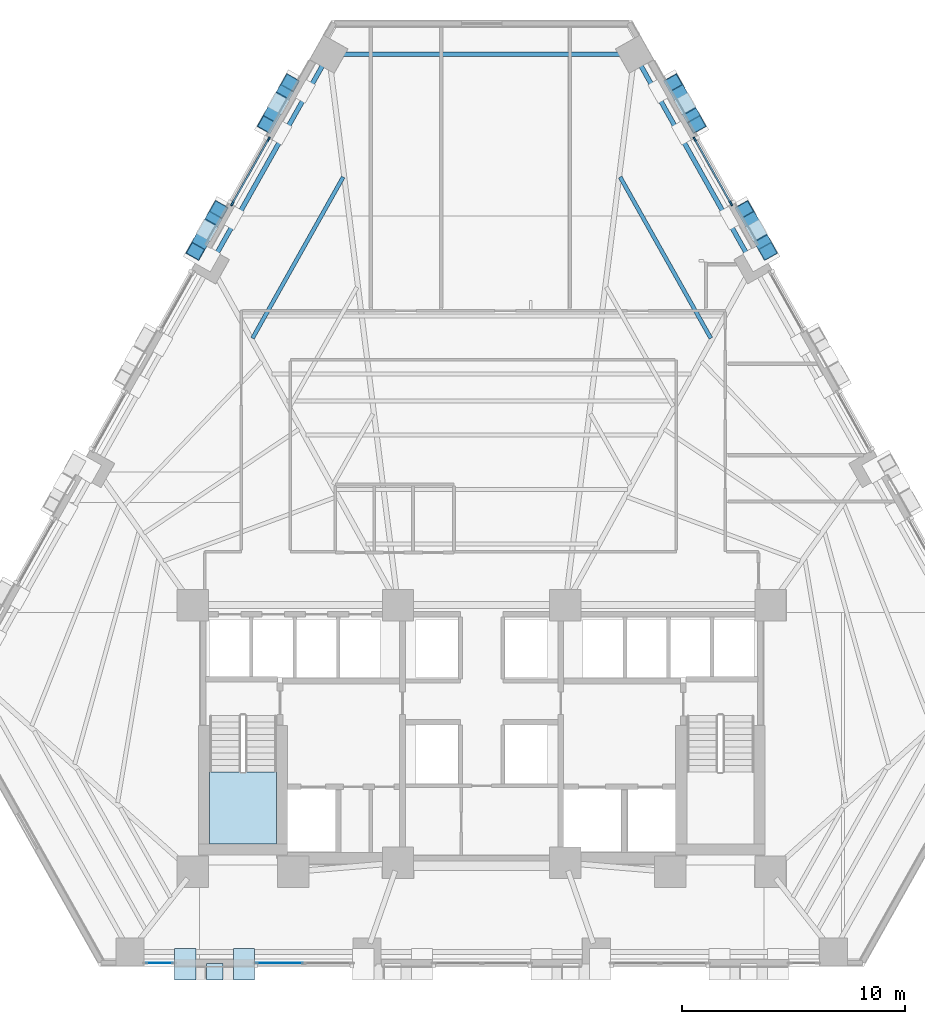
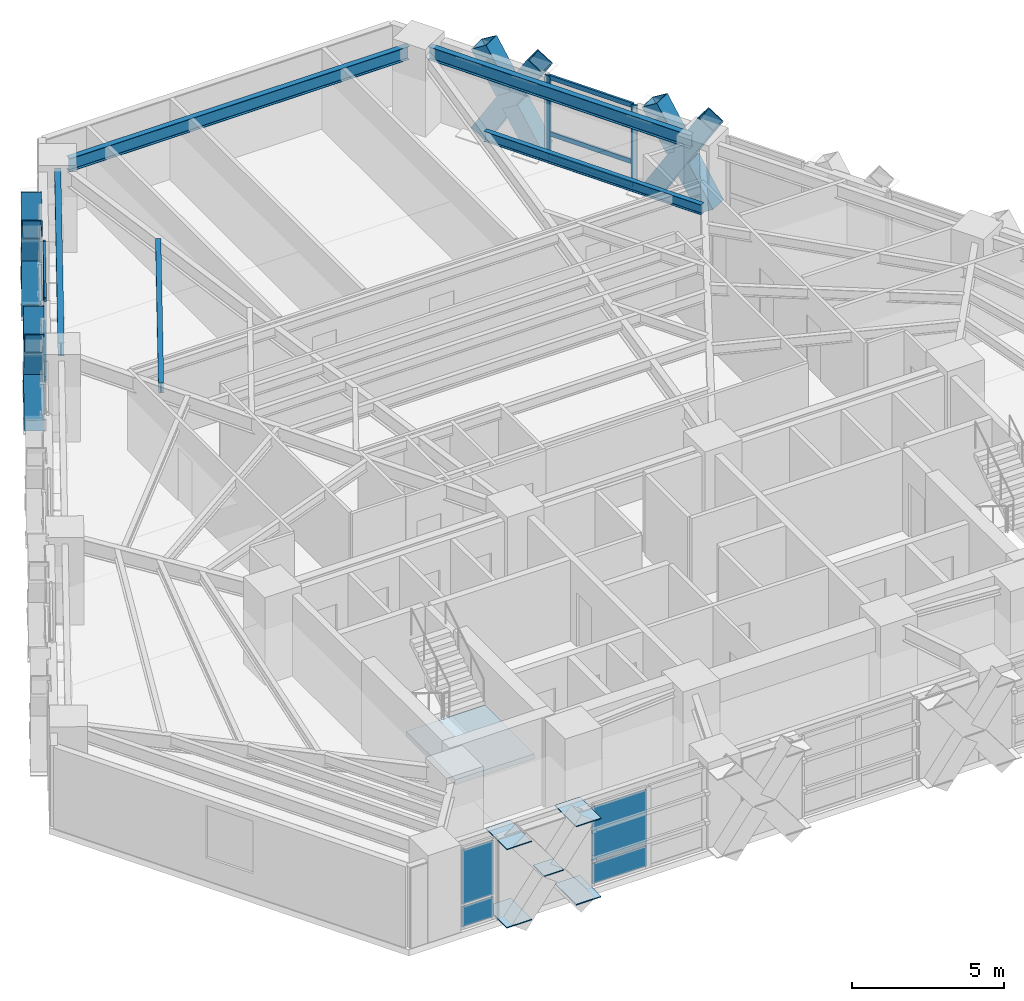
# One storey, part 5 of 13: 22 members, 9 plates, 5 beams, 1 slab, 5 elements without a shape of their own.
"""IFC4 building model written with IfcOpenShell, lengths in metres."""

from ifc_helpers import new_model, si_unit, direction, frame, origin, origin_2d, place, context, subcontext, project, spatial, polyline, rectangle, hollow_rectangle, i_section, outline, extrude, material, layer, layer_set, material_profile, profile_set, type_object, element, aggregate, save


model = new_model("IFC4")

# Units and contexts
model_context = context("Model", 3, precision=1e-05, world=origin(), true_north=direction((0.0, 1.0)))
body_context = subcontext(model_context, "Body", "Model", "MODEL_VIEW")
ifc_project = project(units=[si_unit("LENGTHUNIT", "METRE"), si_unit("AREAUNIT", "SQUARE_METRE"), si_unit("VOLUMEUNIT", "CUBIC_METRE"), si_unit("PLANEANGLEUNIT", "RADIAN"), si_unit("MASSUNIT", "GRAM", prefix="KILO")], contexts=[model_context])

# Site, building, storey
site_placement = place(None, origin())
site = spatial("IfcSite", under=ifc_project, at=site_placement, CompositionType="ELEMENT")
building_placement = place(site_placement, origin())
building = spatial("IfcBuilding", under=site, at=building_placement, Name="Quenlor Broadcast Tower", CompositionType="ELEMENT")
storey_placement = place(building_placement, frame((0.0, 0.0, 31.10009765625)))
storey = spatial("IfcBuildingStorey", under=building, at=storey_placement, Name="L07", CompositionType="ELEMENT", Elevation=31.10009765625)

# Curtain wall, members
ifc_material_1 = material(Name="Architectural Terracotta and Low-E Glazing", Category="masonry")
curtain_wall_type = type_object("IfcCurtainWallType", Name="Unitised Terracotta Curtain Wall System Z1", PredefinedType="NOTDEFINED", material=ifc_material_1)
curtain_wall_1_placement = place(storey_placement, origin())
curtain_wall_1 = element("IfcCurtainWall", 1, at=curtain_wall_1_placement, inside=storey, type_object=curtain_wall_type, Name="L07 Curtain Wall CW1 (L07-NEA-G1)", PredefinedType="NOTDEFINED")
ifc_material_2 = material(Name="Aluminium 6063-T6", Category="aluminium")
ifc_material_profile_1 = material_profile(ifc_material_2, rectangle(XDim=0.080078125, YDim=0.219970703125, at=origin_2d()))
ifc_profile_set_1 = profile_set([ifc_material_profile_1], Name="Aluminium 6063-T6 MULL80x220")
member_type_1 = type_object("IfcMemberType", Name="CW1 Aluminium Mullion MULL_CW1", PredefinedType="MULLION", material=ifc_profile_set_1)
member_1_placement = place(storey_placement, frame((9.55615234375, 16.084716796875, 0.0), z_axis=(0.0, 0.0, 1.0), x_axis=(0.871585015751, 0.49024438836, 0.0)))
member_1 = element("IfcMember", 2, at=member_1_placement, type_object=member_type_1, Name="CW1 mullion 1", PredefinedType="MULLION", context=body_context, shape_type="SweptSolid", body=[
    extrude(rectangle(XDim=0.080078125, YDim=0.219970703125, at=origin_2d()), origin(), (0.0, 0.0, 1.0), 3.25),
])
member_2_placement = place(storey_placement, frame((11.174560546875, 13.207763671875, 0.0), z_axis=(0.0, 0.0, 1.0), x_axis=(0.871585015751, 0.49024438836, 0.0)))
member_2 = element("IfcMember", 3, at=member_2_placement, type_object=member_type_1, Name="CW1 mullion 2", PredefinedType="MULLION", context=body_context, shape_type="SweptSolid", body=[
    extrude(rectangle(XDim=0.080078125, YDim=0.219970703125, at=origin_2d()), origin(), (0.0, 0.0, 1.0), 3.25),
])

curtain_wall_2_placement = place(storey_placement, origin())
curtain_wall_2 = element("IfcCurtainWall", 4, at=curtain_wall_2_placement, inside=storey, type_object=curtain_wall_type, Name="L07 Curtain Wall CW1 (L07-NWC-G1)", PredefinedType="NOTDEFINED")
member_3_placement = place(storey_placement, frame((-11.174560546875, 13.207763671875, 0.0), z_axis=(0.0, 0.0, 1.0), x_axis=(-0.871585015751, 0.49024438836, 0.0)))
member_3 = element("IfcMember", 5, at=member_3_placement, type_object=member_type_1, Name="CW1 mullion 1", PredefinedType="MULLION", context=body_context, shape_type="SweptSolid", body=[
    extrude(rectangle(XDim=0.080078125, YDim=0.219970703125, at=origin_2d()), origin(), (0.0, 0.0, 1.0), 3.25),
])
member_4_placement = place(storey_placement, frame((-9.55615234375, 16.084716796875, 0.0), z_axis=(0.0, 0.0, 1.0), x_axis=(-0.871585015751, 0.49024438836, 0.0)))
member_4 = element("IfcMember", 6, at=member_4_placement, type_object=member_type_1, Name="CW1 mullion 2", PredefinedType="MULLION", context=body_context, shape_type="SweptSolid", body=[
    extrude(rectangle(XDim=0.080078125, YDim=0.219970703125, at=origin_2d()), origin(), (0.0, 0.0, 1.0), 3.25),
])

# Member
ifc_material_3 = material(Name="Aluminium 6063-T6", Category="aluminium")
ifc_material_profile_2 = material_profile(ifc_material_3, rectangle(XDim=0.080078125, YDim=0.179931640625, at=origin_2d()))
ifc_profile_set_2 = profile_set([ifc_material_profile_2], Name="Aluminium 6063-T6 TRAN80x180")
member_type_2 = type_object("IfcMemberType", Name="CW1 Aluminium Transom TRAN_CW1", PredefinedType="USERDEFINED", material=ifc_profile_set_2)
member_5_placement = place(storey_placement, frame((9.575927734375, 16.050048828125, 0.039794921875), z_axis=(0.490192861476, -0.871613996307, 0.0), x_axis=(0.871613996307, 0.490192861476, 0.0)))
member_5 = element("IfcMember", 7, at=member_5_placement, type_object=member_type_2, Name="CW1 transom 1.1", ObjectType="TRANSOM", PredefinedType="USERDEFINED", context=body_context, shape_type="SweptSolid", body=[
    extrude(rectangle(XDim=0.080078125, YDim=0.179931640625, at=origin_2d()), origin(), (0.0, 0.0, 1.0), 3.220947265625),
])

member_6_placement = place(storey_placement, frame((9.575927734375, 16.050048828125, 0.949951171875), z_axis=(0.490192861476, -0.871613996307, 0.0), x_axis=(0.871613996307, 0.490192861476, 0.0)))
member_6 = element("IfcMember", 8, at=member_6_placement, type_object=member_type_2, Name="CW1 transom 1.2", ObjectType="TRANSOM", PredefinedType="USERDEFINED", context=body_context, shape_type="SweptSolid", body=[
    extrude(rectangle(XDim=0.080078125, YDim=0.179931640625, at=origin_2d()), origin(), (0.0, 0.0, 1.0), 3.220947265625),
])

member_7_placement = place(storey_placement, frame((9.575927734375, 16.050048828125, 3.2099609375), z_axis=(0.490192861476, -0.871613996307, 0.0), x_axis=(0.871613996307, 0.490192861476, 0.0)))
member_7 = element("IfcMember", 9, at=member_7_placement, type_object=member_type_2, Name="CW1 transom 1.3", ObjectType="TRANSOM", PredefinedType="USERDEFINED", context=body_context, shape_type="SweptSolid", body=[
    extrude(rectangle(XDim=0.080078125, YDim=0.179931640625, at=origin_2d()), origin(), (0.0, 0.0, 1.0), 3.220947265625),
])

aggregate(curtain_wall_1, [member_1, member_2, member_5, member_6, member_7])

member_8_placement = place(storey_placement, frame((-11.15478515625, 13.24267578125, 0.039794921875), z_axis=(0.490192861476, 0.871613996307, 0.0), x_axis=(-0.871613996307, 0.490192861476, 0.0)))
member_8 = element("IfcMember", 10, at=member_8_placement, type_object=member_type_2, Name="CW1 transom 1.1", ObjectType="TRANSOM", PredefinedType="USERDEFINED", context=body_context, shape_type="SweptSolid", body=[
    extrude(rectangle(XDim=0.080078125, YDim=0.179931640625, at=origin_2d()), origin(), (0.0, 0.0, 1.0), 3.220947265625),
])

member_9_placement = place(storey_placement, frame((-11.15478515625, 13.24267578125, 0.949951171875), z_axis=(0.490192861476, 0.871613996307, 0.0), x_axis=(-0.871613996307, 0.490192861476, 0.0)))
member_9 = element("IfcMember", 11, at=member_9_placement, type_object=member_type_2, Name="CW1 transom 1.2", ObjectType="TRANSOM", PredefinedType="USERDEFINED", context=body_context, shape_type="SweptSolid", body=[
    extrude(rectangle(XDim=0.080078125, YDim=0.179931640625, at=origin_2d()), origin(), (0.0, 0.0, 1.0), 3.220947265625),
])

member_10_placement = place(storey_placement, frame((-11.15478515625, 13.24267578125, 3.2099609375), z_axis=(0.490192861476, 0.871613996307, 0.0), x_axis=(-0.871613996307, 0.490192861476, 0.0)))
member_10 = element("IfcMember", 12, at=member_10_placement, type_object=member_type_2, Name="CW1 transom 1.3", ObjectType="TRANSOM", PredefinedType="USERDEFINED", context=body_context, shape_type="SweptSolid", body=[
    extrude(rectangle(XDim=0.080078125, YDim=0.179931640625, at=origin_2d()), origin(), (0.0, 0.0, 1.0), 3.220947265625),
])

aggregate(curtain_wall_2, [member_3, member_4, member_8, member_9, member_10])

# Members
ifc_material_4 = material(Name="Steel S355", Category="steel")
ifc_material_profile_3 = material_profile(ifc_material_4, hollow_rectangle(XDim=0.679931640625, YDim=0.679931640625, WallThickness=0.034912109375, at=origin_2d()))
ifc_profile_set_3 = profile_set([ifc_material_profile_3], Name="Steel S355 RHS680x680x35")
member_type_3 = type_object("IfcMemberType", Name="Perimeter Diagonal Lattice Brace Z1 Steel S355 RHS680x35", PredefinedType="BRACE", material=ifc_profile_set_3)
member_11_placement = place(storey_placement, frame((8.584716796875, 18.617431640625, -0.1201171875), z_axis=(0.25642393936, -0.455831751234, 0.852328679495), x_axis=(0.871560357306, 0.490288224998, 0.0)))
element("IfcMember", 13, at=member_11_placement, inside=storey, type_object=member_type_3, Name="L07 Perimeter Diamond Lattice NE-C1XA", PredefinedType="BRACE", context=body_context, shape_type="SweptSolid", body=[
    extrude(hollow_rectangle(XDim=0.679931640625, YDim=0.679931640625, WallThickness=0.034912109375, at=origin_2d()), origin(), (0.0, 0.0, 1.0), 4.1064453125),
])
for number, where, z_axis, x_axis, name in (
    (14, (9.6376953125, 16.74560546875, -0.1201171875), (-0.256435894674, 0.455870991217, 0.852304095549), (-0.871568623966, -0.49027352949, 0.0), "L07 Perimeter Diamond Lattice NE-C1XB1"),
    (15, (9.047119140625, 17.79541015625, 1.843017578125), (-0.256435894674, 0.455870991217, 0.852304095549), (-0.871568623966, -0.49027352949, 0.0), "L07 Perimeter Diamond Lattice NE-C1XB2"),
):
    element("IfcMember", number, at=place(storey_placement, frame(where, z_axis=z_axis, x_axis=x_axis)), inside=storey, type_object=member_type_3, Name=name, PredefinedType="BRACE", context=body_context, shape_type="SweptSolid", body=[
        extrude(hollow_rectangle(XDim=0.679931640625, YDim=0.679931640625, WallThickness=0.034912109375, at=origin_2d()), origin(), (0.0, 0.0, 1.0), 1.80322265625),
    ])
member_12_placement = place(storey_placement, frame((11.781494140625, 12.93408203125, -0.1201171875), z_axis=(0.256430888508, -0.455784649039, 0.8523517778), x_axis=(0.871533027316, 0.490336804959, 0.0)))
element("IfcMember", 16, at=member_12_placement, inside=storey, type_object=member_type_3, Name="L07 Perimeter Diamond Lattice NE-C2XA", PredefinedType="BRACE", context=body_context, shape_type="SweptSolid", body=[
    extrude(hollow_rectangle(XDim=0.679931640625, YDim=0.679931640625, WallThickness=0.034912109375, at=origin_2d()), origin(), (0.0, 0.0, 1.0), 4.106201171875),
])
member_13_placement = place(storey_placement, frame((12.83447265625, 11.0625, -0.1201171875), z_axis=(-0.256435894674, 0.455870991217, 0.852304095549), x_axis=(-0.871568623966, -0.49027352949, 0.0)))
element("IfcMember", 17, at=member_13_placement, inside=storey, type_object=member_type_3, Name="L07 Perimeter Diamond Lattice NE-C2XB1", PredefinedType="BRACE", context=body_context, shape_type="SweptSolid", body=[
    extrude(hollow_rectangle(XDim=0.679931640625, YDim=0.679931640625, WallThickness=0.034912109375, at=origin_2d()), origin(), (0.0, 0.0, 1.0), 1.80322265625),
])
member_14_placement = place(storey_placement, frame((12.243896484375, 12.1123046875, 1.843017578125), z_axis=(-0.256451721554, 0.455763724789, 0.852356698618), x_axis=(-0.871506382136, -0.490384161547, 0.0)))
element("IfcMember", 18, at=member_14_placement, inside=storey, type_object=member_type_3, Name="L07 Perimeter Diamond Lattice NE-C2XB2", PredefinedType="BRACE", context=body_context, shape_type="SweptSolid", body=[
    extrude(hollow_rectangle(XDim=0.679931640625, YDim=0.679931640625, WallThickness=0.034912109375, at=origin_2d()), origin(), (0.0, 0.0, 1.0), 1.802978515625),
])
member_15_placement = place(storey_placement, frame((-12.83447265625, 11.0625, -0.1201171875), z_axis=(0.256430888508, 0.455784649039, 0.8523517778), x_axis=(-0.871533027316, 0.490336804959, 0.0)))
element("IfcMember", 19, at=member_15_placement, inside=storey, type_object=member_type_3, Name="L07 Perimeter Diamond Lattice NW-C4XA", PredefinedType="BRACE", context=body_context, shape_type="SweptSolid", body=[
    extrude(hollow_rectangle(XDim=0.679931640625, YDim=0.679931640625, WallThickness=0.034912109375, at=origin_2d()), origin(), (0.0, 0.0, 1.0), 4.106201171875),
])
member_16_placement = place(storey_placement, frame((-11.781494140625, 12.93408203125, -0.1201171875), z_axis=(-0.256451721554, -0.455763724789, 0.852356698618), x_axis=(0.871506382136, -0.490384161547, 0.0)))
element("IfcMember", 20, at=member_16_placement, inside=storey, type_object=member_type_3, Name="L07 Perimeter Diamond Lattice NW-C4XB1", PredefinedType="BRACE", context=body_context, shape_type="SweptSolid", body=[
    extrude(hollow_rectangle(XDim=0.679931640625, YDim=0.679931640625, WallThickness=0.034912109375, at=origin_2d()), origin(), (0.0, 0.0, 1.0), 1.802978515625),
])
member_17_placement = place(storey_placement, frame((-12.3720703125, 11.884521484375, 1.843017578125), z_axis=(-0.256435894674, -0.455870991217, 0.852304095549), x_axis=(0.871568623966, -0.49027352949, 0.0)))
element("IfcMember", 21, at=member_17_placement, inside=storey, type_object=member_type_3, Name="L07 Perimeter Diamond Lattice NW-C4XB2", PredefinedType="BRACE", context=body_context, shape_type="SweptSolid", body=[
    extrude(hollow_rectangle(XDim=0.679931640625, YDim=0.679931640625, WallThickness=0.034912109375, at=origin_2d()), origin(), (0.0, 0.0, 1.0), 1.80322265625),
])
member_18_placement = place(storey_placement, frame((-9.6376953125, 16.74560546875, -0.1201171875), z_axis=(0.25642393936, 0.455831751234, 0.852328679495), x_axis=(-0.871560357306, 0.490288224998, 0.0)))
element("IfcMember", 22, at=member_18_placement, inside=storey, type_object=member_type_3, Name="L07 Perimeter Diamond Lattice NW-C5XA", PredefinedType="BRACE", context=body_context, shape_type="SweptSolid", body=[
    extrude(hollow_rectangle(XDim=0.679931640625, YDim=0.679931640625, WallThickness=0.034912109375, at=origin_2d()), origin(), (0.0, 0.0, 1.0), 4.1064453125),
])
for number, where, z_axis, x_axis, name in (
    (23, (-8.584716796875, 18.617431640625, -0.1201171875), (-0.256435894674, -0.455870991217, 0.852304095549), (0.871568623966, -0.49027352949, 0.0), "L07 Perimeter Diamond Lattice NW-C5XB1"),
    (24, (-9.17529296875, 17.567626953125, 1.843017578125), (-0.256435894674, -0.455870991217, 0.852304095549), (0.871568623966, -0.49027352949, 0.0), "L07 Perimeter Diamond Lattice NW-C5XB2"),
):
    element("IfcMember", number, at=place(storey_placement, frame(where, z_axis=z_axis, x_axis=x_axis)), inside=storey, type_object=member_type_3, Name=name, PredefinedType="BRACE", context=body_context, shape_type="SweptSolid", body=[
        extrude(hollow_rectangle(XDim=0.679931640625, YDim=0.679931640625, WallThickness=0.034912109375, at=origin_2d()), origin(), (0.0, 0.0, 1.0), 1.80322265625),
    ])

# Beams
ifc_material_5 = material(Name="Steel S355", Category="steel")
ifc_material_profile_4 = material_profile(ifc_material_5, i_section(OverallWidth=0.208984375, OverallDepth=0.532958984375, WebThickness=0.01025390625, FlangeThickness=0.015625, FilletRadius=0.013916015625, at=origin_2d()))
ifc_profile_set_4 = profile_set([ifc_material_profile_4], Name="Steel S355 530UB92.4")
beam_type_1 = type_object("IfcBeamType", Name="Perimeter Spandrel Beam Z1 Steel S355 530UB92.4", PredefinedType="SPANDREL", material=ifc_profile_set_4)
beam_1_placement = place(storey_placement, frame((11.962158203125, 10.80810546875, 2.9833984375), z_axis=(-0.490257767622, 0.871577490121, 0.0), x_axis=(-0.871577490121, -0.490257767622, 0.0)))
element("IfcBeam", 25, at=beam_1_placement, inside=storey, type_object=beam_type_1, Name="L07 Spandrel Beam NE3-NE4", PredefinedType="SPANDREL", context=body_context, shape_type="SweptSolid", body=[
    extrude(i_section(OverallWidth=0.208984375, OverallDepth=0.532958984375, WebThickness=0.01025390625, FlangeThickness=0.015625, FilletRadius=0.013916015625, at=origin_2d()), origin(), (0.0, 0.0, 1.0), 10.015380859375),
])
beam_2_placement = place(storey_placement, frame((6.44091796875, 19.894775390625, 2.9833984375), z_axis=(-1.0, 0.0, 0.0), x_axis=(0.0, -1.0, 0.0)))
element("IfcBeam", 26, at=beam_2_placement, inside=storey, type_object=beam_type_1, Name="L07 Spandrel Beam NE4-NW1", PredefinedType="SPANDREL", context=body_context, shape_type="SweptSolid", body=[
    extrude(i_section(OverallWidth=0.208984375, OverallDepth=0.532958984375, WebThickness=0.01025390625, FlangeThickness=0.015625, FilletRadius=0.013916015625, at=origin_2d()), origin(), (0.0, 0.0, 1.0), 12.8818359375),
])
beam_3_placement = place(storey_placement, frame((-7.052001953125, 19.537353515625, 2.9833984375), z_axis=(-0.490257767622, -0.871577490121, 0.0), x_axis=(0.871577490121, -0.490257767622, 0.0)))
element("IfcBeam", 27, at=beam_3_placement, inside=storey, type_object=beam_type_1, Name="L07 Spandrel Beam NW1-NW2", PredefinedType="SPANDREL", context=body_context, shape_type="SweptSolid", body=[
    extrude(i_section(OverallWidth=0.208984375, OverallDepth=0.532958984375, WebThickness=0.01025390625, FlangeThickness=0.015625, FilletRadius=0.013916015625, at=origin_2d()), origin(), (0.0, 0.0, 1.0), 10.015380859375),
])
ifc_material_6 = material(Name="Steel S355", Category="steel")
ifc_material_profile_5 = material_profile(ifc_material_6, i_section(OverallWidth=0.177978515625, OverallDepth=0.406494140625, WebThickness=0.0078125, FlangeThickness=0.0126953125, FilletRadius=0.011474609375, at=origin_2d()))
ifc_profile_set_5 = profile_set([ifc_material_profile_5], Name="Steel S355 410UB59.7")
beam_type_2 = type_object("IfcBeamType", Name="Tower Composite Joist Z1 Steel S355 410UB59.7", PredefinedType="JOIST", material=ifc_profile_set_5)
for number, where, z_axis, x_axis, name in (
    (28, (-6.2080078125, 14.39208984375, 3.046630859375), (-0.490248658014, -0.871582614166, 0.0), (0.871582614166, -0.490248658014, 0.0), "L07 Secondary Composite Joist 27"),
    (29, (6.2080078125, 14.39208984375, 3.046630859375), (0.490248658014, -0.871582614166, 0.0), (0.871582614166, 0.490248658014, 0.0), "L07 Secondary Composite Joist 30"),
):
    element("IfcBeam", number, at=place(storey_placement, frame(where, z_axis=z_axis, x_axis=x_axis)), inside=storey, type_object=beam_type_2, Name=name, PredefinedType="JOIST", context=body_context, shape_type="SweptSolid", body=[
        extrude(i_section(OverallWidth=0.177978515625, OverallDepth=0.406494140625, WebThickness=0.0078125, FlangeThickness=0.0126953125, FilletRadius=0.011474609375, at=origin_2d()), origin(), (0.0, 0.0, 1.0), 8.29150390625),
    ])

# Curtain wall, plates
curtain_wall_3_placement = place(storey_placement, origin())
curtain_wall_3 = element("IfcCurtainWall", 30, at=curtain_wall_3_placement, inside=storey, type_object=curtain_wall_type, Name="L07 Curtain Wall CW1 (L07-SC-G1)", PredefinedType="NOTDEFINED")
ifc_material_7 = material(Name="Double Glazed Low-E Solar Glass", Category="glass")
ifc_layer_1 = layer(ifc_material_7, 0.031982421875)
ifc_layer_set_1 = layer_set([ifc_layer_1], Name="CW1 Double Glazed Vision Panel 32")
plate_type_1 = type_object("IfcPlateType", Name="CW1 Double Glazed Vision Panel 32", PredefinedType="CURTAIN_PANEL", material=ifc_layer_set_1)
plate_1_placement = place(storey_placement, frame((-9.058837890625, -20.840087890625, 0.079833984375), z_axis=(0.0, 0.0, 1.0), x_axis=(-1.0, 0.0, 0.0)))
plate_1 = element("IfcPlate", 31, at=plate_1_placement, type_object=plate_type_1, Name="CW1 panel 2.1", PredefinedType="CURTAIN_PANEL", context=body_context, shape_type="SweptSolid", body=[
    extrude(rectangle(XDim=2.072021484375, YDim=0.031982421875, at=origin_2d()), origin(), (0.0, 0.0, 1.0), 0.830078125),
])
plate_2_placement = place(storey_placement, frame((-9.058837890625, -20.840087890625, 0.98974609375), z_axis=(0.0, 0.0, 1.0), x_axis=(-1.0, 0.0, 0.0)))
plate_2 = element("IfcPlate", 32, at=plate_2_placement, type_object=plate_type_1, Name="CW1 panel 2.2", PredefinedType="CURTAIN_PANEL", context=body_context, shape_type="SweptSolid", body=[
    extrude(rectangle(XDim=2.072021484375, YDim=0.031982421875, at=origin_2d()), origin(), (0.0, 0.0, 1.0), 2.179931640625),
])
aggregate(curtain_wall_3, [plate_1, plate_2])

curtain_wall_4_placement = place(storey_placement, origin())
curtain_wall_4 = element("IfcCurtainWall", 33, at=curtain_wall_4_placement, inside=storey, type_object=curtain_wall_type, Name="L07 Curtain Wall CW1 (L07-SC-G2)", PredefinedType="NOTDEFINED")
plate_3_placement = place(storey_placement, frame((-14.44091796875, -20.840087890625, 0.079833984375), z_axis=(0.0, 0.0, 1.0), x_axis=(-1.0, 0.0, 0.0)))
plate_3 = element("IfcPlate", 34, at=plate_3_placement, type_object=plate_type_1, Name="CW1 panel 1.1", PredefinedType="CURTAIN_PANEL", context=body_context, shape_type="SweptSolid", body=[
    extrude(rectangle(XDim=1.188232421875, YDim=0.031982421875, at=origin_2d()), origin(), (0.0, 0.0, 1.0), 0.830078125),
])
plate_4_placement = place(storey_placement, frame((-14.44091796875, -20.840087890625, 0.98974609375), z_axis=(0.0, 0.0, 1.0), x_axis=(-1.0, 0.0, 0.0)))
plate_4 = element("IfcPlate", 35, at=plate_4_placement, type_object=plate_type_1, Name="CW1 panel 1.2", PredefinedType="CURTAIN_PANEL", context=body_context, shape_type="SweptSolid", body=[
    extrude(rectangle(XDim=1.188232421875, YDim=0.031982421875, at=origin_2d()), origin(), (0.0, 0.0, 1.0), 2.179931640625),
])
aggregate(curtain_wall_4, [plate_3, plate_4])

# Plate
ifc_material_8 = material(Name="Steel S355", Category="steel")
ifc_layer_2 = layer(ifc_material_8, 0.028076171875)
ifc_layer_set_2 = layer_set([ifc_layer_2], Name="Perimeter Lattice Node Steel S355 Cap Plate 740x740x28")
plate_type_2 = type_object("IfcPlateType", Name="Perimeter Lattice Node Steel S355 Cap Plate 740x740x28", PredefinedType="USERDEFINED", material=ifc_layer_set_2)
plate_5_placement = place(storey_placement, frame((-11.970703125, -21.235107421875, 1.61572265625), z_axis=(0.0, 0.0, 1.0), x_axis=(-1.0, 0.0, 0.0)))
element("IfcPlate", 36, at=plate_5_placement, inside=storey, type_object=plate_type_2, Name="L07 Diamond Lattice Crossing Node S-C4", ObjectType="CAP PLATE", PredefinedType="USERDEFINED", context=body_context, shape_type="SweptSolid", body=[
    extrude(rectangle(XDim=0.739990234375, YDim=0.739990234375, at=origin_2d()), origin(), (0.0, 0.0, 1.0), 0.028076171875),
])

# Stair, slab
ifc_material_9 = material(Name="Precast concrete C40/50", Category="concrete")
stair_type = type_object("IfcStairType", Name="Precast Concrete C40/50 Dogleg Stair H350", PredefinedType="HALF_TURN_STAIR", material=ifc_material_9)
stair_placement = place(storey_placement, origin())
stair = element("IfcStair", 37, at=stair_placement, inside=storey, type_object=stair_type, Name="L07 West Core Fire-Isolated Exit Stair ST-1", PredefinedType="HALF_TURN_STAIR")
ifc_material_10 = material(Name="Precast concrete C40/50", Category="concrete")
ifc_layer_3 = layer(ifc_material_10, 0.199951171875)
ifc_layer_set_3 = layer_set([ifc_layer_3], Name="Precast Concrete C40/50 Stair Landing Slab 200")
slab_type = type_object("IfcSlabType", Name="Precast Concrete C40/50 Stair Landing Slab 200", PredefinedType="LANDING", material=ifc_layer_set_3)
slab_placement = place(storey_placement, frame((0.0, 0.0, 1.5498046875)))
slab = element("IfcSlab", 38, at=slab_placement, type_object=slab_type, Name="ST-1 landing 1", PredefinedType="LANDING", context=body_context, shape_type="SweptSolid", body=[
    extrude(outline(polyline([(-12.199951171875, -12.27001953125), (-12.199951171875, -15.5), (-9.199951171875, -15.5), (-9.199951171875, -12.27001953125), (-12.199951171875, -12.27001953125)])), origin(), (0.0, 0.0, 1.0), 0.2001953125),
])
aggregate(stair, [slab])

# Plates
ifc_material_11 = material(Name="Steel S355", Category="steel")
ifc_layer_4 = layer(ifc_material_11, 0.035888671875)
ifc_layer_set_4 = layer_set([ifc_layer_4], Name="Transfer Truss Steel S355 Gusset Node Plate 1400x950x36")
plate_type_3 = type_object("IfcPlateType", Name="Transfer Truss Steel S355 Gusset Node Plate 1400x950x36", PredefinedType="SHEET", material=ifc_layer_set_4)
for number, where, z_axis, x_axis, name in (
    (39, (-10.656494140625, -20.89990234375, 0.0419921875), (0.0, 0.0, 1.0), (0.0, -1.0, 0.0), "L07 Lattice Tie Gusset Node S-B10"),
    (40, (-13.284912109375, -20.89990234375, 3.18212890625), (0.0, 0.0, 1.0), (0.0, -1.0, 0.0), "L07 Lattice Tie Gusset Node S-T11"),
    (41, (-13.284912109375, -20.89990234375, 0.0419921875), (0.0, 0.0, 1.0), (0.0, -1.0, 0.0), "L07 Lattice Tie Gusset Node S-B11"),
    (42, (-10.656494140625, -20.89990234375, 3.18212890625), (0.0, 0.0, 1.0), (0.0, -1.0, 0.0), "L07 Lattice Tie Gusset Node S-T10"),
):
    element("IfcPlate", number, at=place(storey_placement, frame(where, z_axis=z_axis, x_axis=x_axis)), inside=storey, type_object=plate_type_3, Name=name, PredefinedType="SHEET", context=body_context, shape_type="SweptSolid", body=[
        extrude(rectangle(XDim=1.39990234375, YDim=0.949951171875, at=origin_2d()), origin(), (0.0, 0.0, 1.0), 0.035888671875),
    ])

save(model, "model.ifc")
